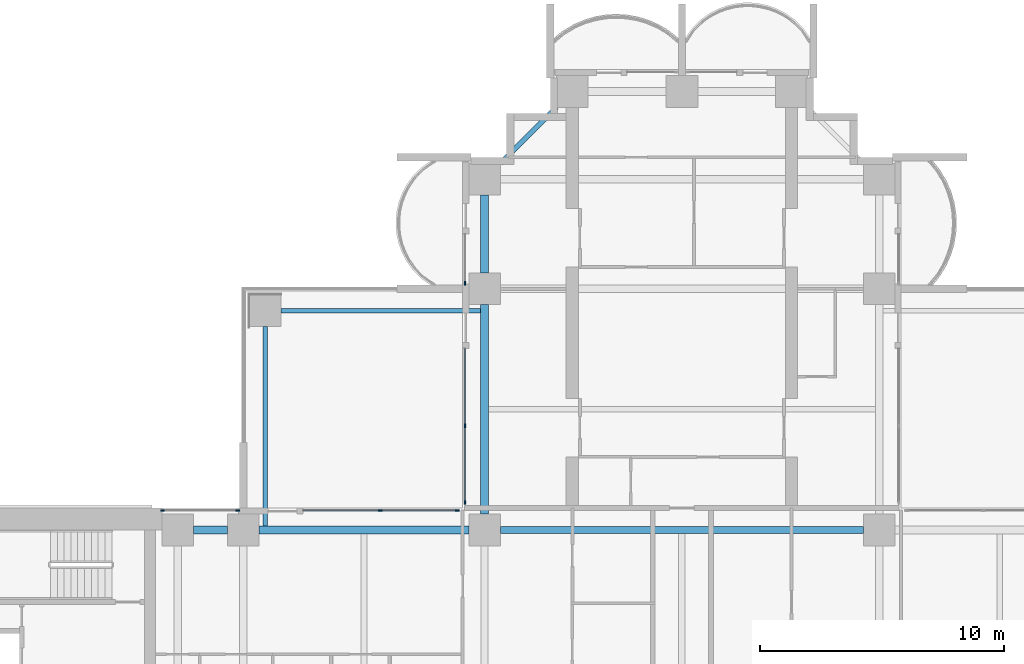
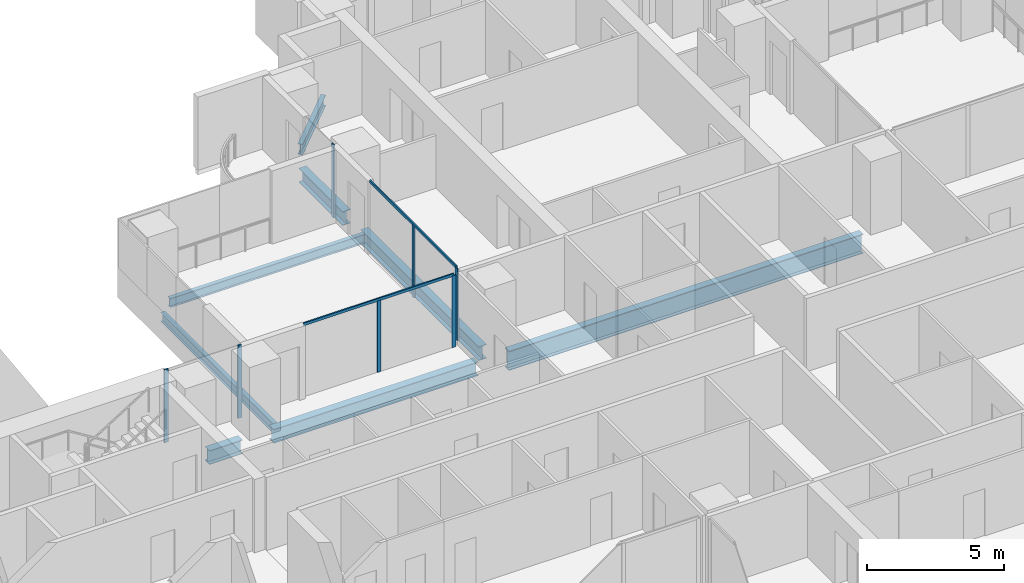
# One storey, part 6 of 22: 9 members, 8 beams, 4 elements without a shape of their own.
"""IFC4 building model written with IfcOpenShell, lengths in metres."""

from ifc_helpers import new_model, si_unit, direction, frame, origin, origin_2d, place, context, subcontext, project, spatial, rectangle, i_section, extrude, material, material_profile, profile_set, type_object, element, aggregate, save


model = new_model("IFC4")

# Units and contexts
model_context = context("Model", 3, precision=1e-05, world=origin(), true_north=direction((0.0, 1.0)))
body_context = subcontext(model_context, "Body", "Model", "MODEL_VIEW")
ifc_project = project(units=[si_unit("LENGTHUNIT", "METRE"), si_unit("AREAUNIT", "SQUARE_METRE"), si_unit("VOLUMEUNIT", "CUBIC_METRE"), si_unit("PLANEANGLEUNIT", "RADIAN"), si_unit("MASSUNIT", "GRAM", prefix="KILO")], contexts=[model_context])

# Site, building, storey
site_placement = place(None, origin())
site = spatial("IfcSite", under=ifc_project, at=site_placement, CompositionType="ELEMENT")
building_placement = place(site_placement, origin())
building = spatial("IfcBuilding", under=site, at=building_placement, Name="Perihelion Cross Residences", CompositionType="ELEMENT")
storey_placement = place(building_placement, frame((0.0, 0.0, 50.5)))
storey = spatial("IfcBuildingStorey", under=building, at=storey_placement, Name="L09", CompositionType="ELEMENT", Elevation=50.5)

# Curtain wall, member
ifc_material_1 = material(Name="Bronze anodised aluminium, tinted glazing", Category="aluminium")
curtain_wall_type = type_object("IfcCurtainWallType", Name="CW1", PredefinedType="NOTDEFINED", material=ifc_material_1)
curtain_wall_1_placement = place(storey_placement, origin())
curtain_wall_1 = element("IfcCurtainWall", 1, at=curtain_wall_1_placement, inside=storey, type_object=curtain_wall_type, Name="Curtain wall CW1 L09 north side west bay 1", PredefinedType="NOTDEFINED")
ifc_material_2 = material(Name="Bronze anodised aluminium", Category="aluminium")
ifc_material_profile_1 = material_profile(ifc_material_2, rectangle(XDim=0.06005859375, YDim=0.159912109375, at=origin_2d()), Name="CW1 mullion")
ifc_profile_set_1 = profile_set([ifc_material_profile_1], Name="Bronze anodised aluminium")
member_type_1 = type_object("IfcMemberType", Name="CW1 mullion", PredefinedType="MULLION", material=ifc_profile_set_1)
member_1_placement = place(storey_placement, frame((-8.89990234375, 18.22998046875, 0.0), z_axis=(0.0, 0.0, 1.0), x_axis=(1.0, 0.0, 0.0)))
member_1 = element("IfcMember", 2, at=member_1_placement, type_object=member_type_1, Name="CW1 mullion 2", PredefinedType="MULLION", context=body_context, shape_type="SweptSolid", body=[
    extrude(rectangle(XDim=0.06005859375, YDim=0.159912109375, at=origin_2d()), origin(), (0.0, 0.0, 1.0), 3.25),
])
aggregate(curtain_wall_1, [member_1])

# Curtain wall, members
curtain_wall_2_placement = place(storey_placement, origin())
curtain_wall_2 = element("IfcCurtainWall", 3, at=curtain_wall_2_placement, inside=storey, type_object=curtain_wall_type, Name="Curtain wall CW1 L09 north side west bay 2", PredefinedType="NOTDEFINED")
member_2_placement = place(storey_placement, frame((-8.89990234375, 12.375, 0.0), z_axis=(0.0, 0.0, 1.0), x_axis=(1.0, 0.0, 0.0)))
member_2 = element("IfcMember", 4, at=member_2_placement, type_object=member_type_1, Name="CW1 mullion 2", PredefinedType="MULLION", context=body_context, shape_type="SweptSolid", body=[
    extrude(rectangle(XDim=0.06005859375, YDim=0.159912109375, at=origin_2d()), origin(), (0.0, 0.0, 1.0), 3.18994140625),
])
member_3_placement = place(storey_placement, frame((-8.89990234375, 9.22998046875, 0.0), z_axis=(0.0, 0.0, 1.0), x_axis=(1.0, 0.0, 0.0)))
member_3 = element("IfcMember", 5, at=member_3_placement, type_object=member_type_1, Name="CW1 mullion 3", PredefinedType="MULLION", context=body_context, shape_type="SweptSolid", body=[
    extrude(rectangle(XDim=0.06005859375, YDim=0.159912109375, at=origin_2d()), origin(), (0.0, 0.0, 1.0), 3.18994140625),
])

curtain_wall_3_placement = place(storey_placement, origin())
curtain_wall_3 = element("IfcCurtainWall", 6, at=curtain_wall_3_placement, inside=storey, type_object=curtain_wall_type, Name="Curtain wall CW1 L09 west side north bay 1", PredefinedType="NOTDEFINED")
member_4_placement = place(storey_placement, frame((-9.22998046875, 8.89990234375, 0.0), z_axis=(0.0, 0.0, 1.0), x_axis=(0.0, -1.0, 0.0)))
member_4 = element("IfcMember", 7, at=member_4_placement, type_object=member_type_1, Name="CW1 mullion 1", PredefinedType="MULLION", context=body_context, shape_type="SweptSolid", body=[
    extrude(rectangle(XDim=0.06005859375, YDim=0.159912109375, at=origin_2d()), origin(), (0.0, 0.0, 1.0), 3.18994140625),
])
member_5_placement = place(storey_placement, frame((-12.375, 8.89990234375, 0.0), z_axis=(0.0, 0.0, 1.0), x_axis=(0.0, -1.0, 0.0)))
member_5 = element("IfcMember", 8, at=member_5_placement, type_object=member_type_1, Name="CW1 mullion 2", PredefinedType="MULLION", context=body_context, shape_type="SweptSolid", body=[
    extrude(rectangle(XDim=0.06005859375, YDim=0.159912109375, at=origin_2d()), origin(), (0.0, 0.0, 1.0), 3.18994140625),
])

curtain_wall_4_placement = place(storey_placement, origin())
curtain_wall_4 = element("IfcCurtainWall", 9, at=curtain_wall_4_placement, inside=storey, type_object=curtain_wall_type, Name="Curtain wall CW1 L09 west side north bay 2", PredefinedType="NOTDEFINED")
member_6_placement = place(storey_placement, frame((-18.22998046875, 8.89990234375, 0.0), z_axis=(0.0, 0.0, 1.0), x_axis=(0.0, -1.0, 0.0)))
member_6 = element("IfcMember", 10, at=member_6_placement, type_object=member_type_1, Name="CW1 mullion 1", PredefinedType="MULLION", context=body_context, shape_type="SweptSolid", body=[
    extrude(rectangle(XDim=0.06005859375, YDim=0.159912109375, at=origin_2d()), origin(), (0.0, 0.0, 1.0), 3.25),
])
member_7_placement = place(storey_placement, frame((-21.320068359375, 8.89990234375, 0.0), z_axis=(0.0, 0.0, 1.0), x_axis=(0.0, -1.0, 0.0)))
member_7 = element("IfcMember", 11, at=member_7_placement, type_object=member_type_1, Name="CW1 mullion 2", PredefinedType="MULLION", context=body_context, shape_type="SweptSolid", body=[
    extrude(rectangle(XDim=0.06005859375, YDim=0.159912109375, at=origin_2d()), origin(), (0.0, 0.0, 1.0), 3.25),
])
aggregate(curtain_wall_4, [member_6, member_7])

# Member
ifc_material_3 = material(Name="Bronze anodised aluminium", Category="aluminium")
ifc_material_profile_2 = material_profile(ifc_material_3, rectangle(XDim=0.06005859375, YDim=0.1201171875, at=origin_2d()), Name="CW1 transom")
ifc_profile_set_2 = profile_set([ifc_material_profile_2], Name="Bronze anodised aluminium")
member_type_2 = type_object("IfcMemberType", Name="CW1 transom", PredefinedType="USERDEFINED", material=ifc_profile_set_2)
member_8_placement = place(storey_placement, frame((-8.89990234375, 15.550048828125, 3.219970703125), z_axis=(0.0, -1.0, 0.0), x_axis=(1.0, 0.0, 0.0)))
member_8 = element("IfcMember", 12, at=member_8_placement, type_object=member_type_2, Name="CW1 head transom", ObjectType="TRANSOM", PredefinedType="USERDEFINED", context=body_context, shape_type="SweptSolid", body=[
    extrude(rectangle(XDim=0.06005859375, YDim=0.1201171875, at=origin_2d()), origin(), (0.0, 0.0, 1.0), 6.320068359375),
])

aggregate(curtain_wall_2, [member_2, member_3, member_8])

member_9_placement = place(storey_placement, frame((-9.22998046875, 8.89990234375, 3.219970703125), z_axis=(-1.0, 0.0, 0.0), x_axis=(0.0, -1.0, 0.0)))
member_9 = element("IfcMember", 13, at=member_9_placement, type_object=member_type_2, Name="CW1 head transom", ObjectType="TRANSOM", PredefinedType="USERDEFINED", context=body_context, shape_type="SweptSolid", body=[
    extrude(rectangle(XDim=0.06005859375, YDim=0.1201171875, at=origin_2d()), origin(), (0.0, 0.0, 1.0), 6.320068359375),
])

aggregate(curtain_wall_3, [member_4, member_5, member_9])

# Beams
ifc_material_4 = material(Name="Steel S355", Category="steel")
ifc_material_profile_3 = material_profile(ifc_material_4, i_section(OverallWidth=0.177978515625, OverallDepth=0.406005859375, WebThickness=0.0078125, FlangeThickness=0.0126953125, at=origin_2d()), Name="W410x60")
ifc_profile_set_3 = profile_set([ifc_material_profile_3], Name="Steel S355")
beam_type_1 = type_object("IfcBeamType", Name="Core edge beam W410x60", PredefinedType="BEAM", material=ifc_profile_set_3)
for number, where, z_axis, x_axis, name in (
    (14, (-17.10009765625, 8.262451171875, -0.452880859375), (0.0, 1.0, 0.0), (-1.0, 0.0, 0.0), "Core edge beam TB2 L09 corner no. 3"),
    (15, (-8.262451171875, 17.10009765625, -0.452880859375), (-1.0, 0.0, 0.0), (0.0, -1.0, 0.0), "Core edge beam TB2 L09 corner no. 4"),
):
    element("IfcBeam", number, at=place(storey_placement, frame(where, z_axis=z_axis, x_axis=x_axis)), inside=storey, type_object=beam_type_1, Name=name, PredefinedType="BEAM", context=body_context, shape_type="SweptSolid", body=[
        extrude(i_section(OverallWidth=0.177978515625, OverallDepth=0.406005859375, WebThickness=0.0078125, FlangeThickness=0.0126953125, at=origin_2d()), origin(), (0.0, 0.0, 1.0), 8.1875),
    ])
ifc_material_5 = material(Name="Steel S355", Category="steel")
ifc_material_profile_4 = material_profile(ifc_material_5, i_section(OverallWidth=0.324951171875, OverallDepth=0.616943359375, WebThickness=0.013916015625, FlangeThickness=0.021484375, at=origin_2d()), Name="W610x174")
ifc_profile_set_4 = profile_set([ifc_material_profile_4], Name="Steel S355")
beam_type_2 = type_object("IfcBeamType", Name="Edge beam W610x174", PredefinedType="SPANDREL", material=ifc_profile_set_4)
beam_1_placement = place(storey_placement, frame((-8.10009765625, 21.85009765625, -0.55859375), z_axis=(0.0, -1.0, 0.0), x_axis=(1.0, 0.0, 0.0)))
element("IfcBeam", 16, at=beam_1_placement, inside=storey, type_object=beam_type_2, Name="Edge beam SB2 L09 no. 8", PredefinedType="SPANDREL", context=body_context, shape_type="SweptSolid", body=[
    extrude(i_section(OverallWidth=0.324951171875, OverallDepth=0.616943359375, WebThickness=0.013916015625, FlangeThickness=0.021484375, at=origin_2d()), origin(), (0.0, 0.0, 1.0), 3.2001953125),
])
for number, where, z_axis, x_axis, name in (
    (17, (-8.10009765625, 17.35009765625, -0.55859375), (0.0, -1.0, 0.0), (1.0, 0.0, 0.0), "Edge beam SB2 L09 no. 7"),
    (18, (-8.75, 8.10009765625, -0.55859375), (-1.0, 0.0, 0.0), (0.0, -1.0, 0.0), "Edge beam SB2 L09 no. 9"),
):
    element("IfcBeam", number, at=place(storey_placement, frame(where, z_axis=z_axis, x_axis=x_axis)), inside=storey, type_object=beam_type_2, Name=name, PredefinedType="SPANDREL", context=body_context, shape_type="SweptSolid", body=[
        extrude(i_section(OverallWidth=0.324951171875, OverallDepth=0.616943359375, WebThickness=0.013916015625, FlangeThickness=0.021484375, at=origin_2d()), origin(), (0.0, 0.0, 1.0), 8.60009765625),
    ])
beam_2_placement = place(storey_placement, frame((-18.64990234375, 8.10009765625, -0.55859375), z_axis=(-1.0, 0.0, 0.0), x_axis=(0.0, -1.0, 0.0)))
element("IfcBeam", 19, at=beam_2_placement, inside=storey, type_object=beam_type_2, Name="Edge beam SB2 L09 no. 2", PredefinedType="SPANDREL", context=body_context, shape_type="SweptSolid", body=[
    extrude(i_section(OverallWidth=0.324951171875, OverallDepth=0.616943359375, WebThickness=0.013916015625, FlangeThickness=0.021484375, at=origin_2d()), origin(), (0.0, 0.0, 1.0), 1.400146484375),
])
ifc_material_6 = material(Name="Steel S355", Category="steel")
ifc_material_profile_5 = material_profile(ifc_material_6, i_section(OverallWidth=0.2919921875, OverallDepth=0.85888671875, WebThickness=0.01708984375, FlangeThickness=0.031005859375, at=origin_2d()), Name="W840x251")
ifc_profile_set_5 = profile_set([ifc_material_profile_5], Name="Steel S355")
beam_type_3 = type_object("IfcBeamType", Name="Hub ring girder W840x251", PredefinedType="BEAM", material=ifc_profile_set_5)
beam_3_placement = place(storey_placement, frame((7.449951171875, 8.10009765625, -0.679443359375), z_axis=(-1.0, 0.0, 0.0), x_axis=(0.0, -1.0, 0.0)))
element("IfcBeam", 20, at=beam_3_placement, inside=storey, type_object=beam_type_3, Name="Hub ring girder RG2 L09 no. 4", PredefinedType="BEAM", context=body_context, shape_type="SweptSolid", body=[
    extrude(i_section(OverallWidth=0.2919921875, OverallDepth=0.85888671875, WebThickness=0.01708984375, FlangeThickness=0.031005859375, at=origin_2d()), origin(), (0.0, 0.0, 1.0), 14.89990234375),
])
ifc_material_7 = material(Name="Steel S355", Category="steel")
ifc_material_profile_6 = material_profile(ifc_material_7, i_section(OverallWidth=0.194091796875, OverallDepth=0.469970703125, WebThickness=0.0126953125, FlangeThickness=0.0205078125, at=origin_2d()), Name="W460x106")
ifc_profile_set_6 = profile_set([ifc_material_profile_6], Name="Steel S355")
beam_type_4 = type_object("IfcBeamType", Name="Serration edge beam W460x106", PredefinedType="BEAM", material=ifc_profile_set_6)
beam_4_placement = place(storey_placement, frame((-5.14990234375, 25.449951171875, -0.485107421875), z_axis=(-0.707106781187, -0.707106781187, 0.0), x_axis=(0.707106781187, -0.707106781187, 0.0)))
element("IfcBeam", 21, at=beam_4_placement, inside=storey, type_object=beam_type_4, Name="Serration edge beam EB2 L09 no. 1", PredefinedType="BEAM", context=body_context, shape_type="SweptSolid", body=[
    extrude(i_section(OverallWidth=0.194091796875, OverallDepth=0.469970703125, WebThickness=0.0126953125, FlangeThickness=0.0205078125, at=origin_2d()), origin(), (0.0, 0.0, 1.0), 3.252685546875),
])

save(model, "model.ifc")
